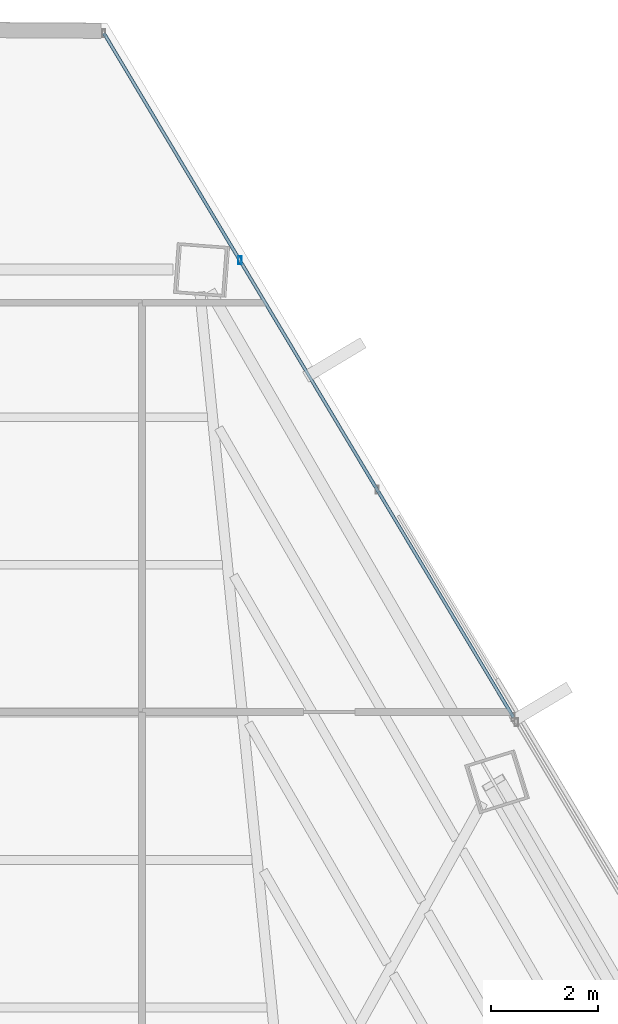
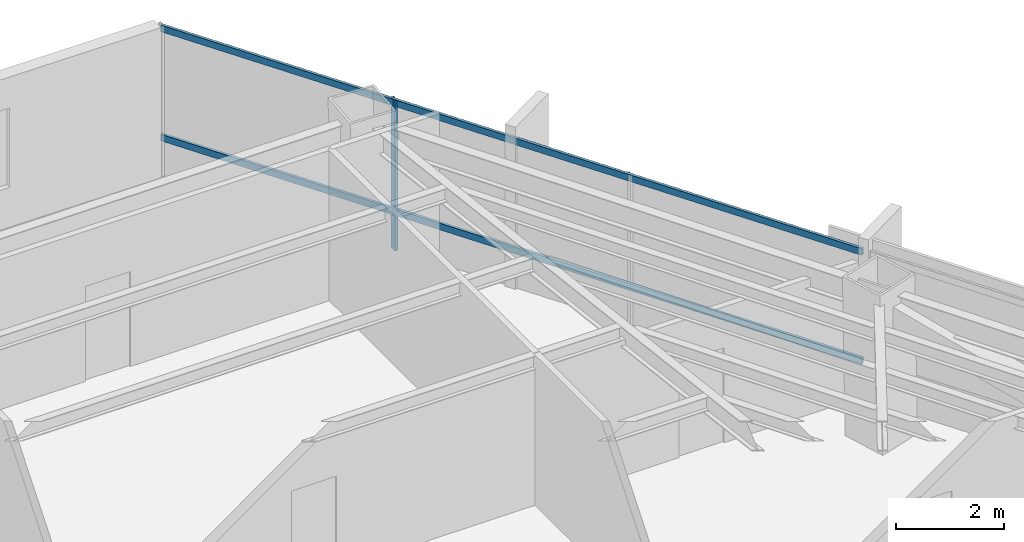
# One storey, part 33 of 41: 3 members, 1 element without a shape of its own.
"""IFC4 building model written with IfcOpenShell, lengths in metres."""

from ifc_helpers import new_model, si_unit, direction, frame, origin, origin_2d, place, context, subcontext, project, spatial, hollow_rectangle, extrude, source, transform, mapped, material, material_profile, profile_set, type_object, type_shapes, element, aggregate, save


model = new_model("IFC4")

# Units and contexts
model_context = context("Model", 3, precision=1e-05, world=origin(), true_north=direction((0.0, 1.0)))
body_context = subcontext(model_context, "Body", "Model", "MODEL_VIEW")
ifc_project = project(units=[si_unit("LENGTHUNIT", "METRE"), si_unit("AREAUNIT", "SQUARE_METRE"), si_unit("VOLUMEUNIT", "CUBIC_METRE"), si_unit("PLANEANGLEUNIT", "RADIAN"), si_unit("MASSUNIT", "GRAM", prefix="KILO")], contexts=[model_context])

# Site, building, storey
site_placement = place(None, origin())
site = spatial("IfcSite", under=ifc_project, at=site_placement, CompositionType="ELEMENT")
building_placement = place(site_placement, origin())
building = spatial("IfcBuilding", under=site, at=building_placement, Name="Caelisora Broadcast Tower", CompositionType="ELEMENT")
storey_placement = place(building_placement, frame((0.0, 0.0, 169.449951171875)))
storey = spatial("IfcBuildingStorey", under=building, at=storey_placement, Name="L44", CompositionType="ELEMENT", Elevation=169.449951171875)

# Curtain wall, members
ifc_material_1 = material(Name="Unitised Aluminium and Low-E Glass Curtain Wall", Category="glass")
curtain_wall_type = type_object("IfcCurtainWallType", Name="CW-Z3", PredefinedType="NOTDEFINED", material=ifc_material_1)
curtain_wall_placement = place(storey_placement, origin())
curtain_wall = element("IfcCurtainWall", 1, at=curtain_wall_placement, inside=storey, type_object=curtain_wall_type, Name="L44 curtain wall CW-Z3", PredefinedType="NOTDEFINED")
ifc_material_2 = material(Name="Aluminium 6063-T6 Anodised Terracotta Bronze", Category="aluminium")
ifc_material_profile_1 = material_profile(ifc_material_2, hollow_rectangle(XDim=0.06005859375, YDim=0.14990234375, WallThickness=0.00341796875, at=origin_2d()), Name="Aluminium 6063-T6 Anodised Terracotta Bronze")
ifc_profile_set_1 = profile_set([ifc_material_profile_1], Name="Aluminium 6063-T6 Anodised Terracotta Bronze")
member_type_1 = type_object("IfcMemberType", Name="CWM-03", PredefinedType="MULLION", material=ifc_profile_set_1)
shared_shape_1 = source(origin(), body_context, "Body", "SweptSolid", [
    extrude(hollow_rectangle(XDim=0.06005859375, YDim=0.14990234375, WallThickness=0.00341796875, at=origin_2d()), origin(), (0.0, 0.0, 1.0), 3.400146484375),
])
type_shapes(member_type_1, [shared_shape_1])
member_1_placement = place(storey_placement, frame((44.624755859375, 46.7001953125, 0.0), z_axis=(0.0, 0.0, 1.0), x_axis=(1.0, 0.0, 0.0)))
member_1 = element("IfcMember", 2, at=member_1_placement, type_object=member_type_1, Name="L44-CW-B01 mullion #1", PredefinedType="MULLION", context=body_context, shape_type="MappedRepresentation", body=[
    mapped(shared_shape_1, transform((0.0, 0.0, 0.0), scale=1.0)),
])
ifc_material_profile_2 = material_profile(ifc_material_2, hollow_rectangle(XDim=0.06005859375, YDim=0.14990234375, WallThickness=0.00341796875, at=origin_2d()), Name="Aluminium 6063-T6 Anodised Terracotta Bronze")
ifc_profile_set_2 = profile_set([ifc_material_profile_2], Name="Aluminium 6063-T6 Anodised Terracotta Bronze")
member_type_2 = type_object("IfcMemberType", Name="CWT-02", PredefinedType="USERDEFINED", material=ifc_profile_set_2)
shared_shape_2 = source(origin(), body_context, "Body", "SweptSolid", [
    extrude(hollow_rectangle(XDim=0.06005859375, YDim=0.14990234375, WallThickness=0.00341796875, at=origin_2d()), origin(), (0.0, 0.0, 1.0), 14.885009765625),
])
type_shapes(member_type_2, [shared_shape_2])
member_2_placement = place(storey_placement, frame((42.084716796875, 50.943115234375, 0.85009765625), z_axis=(0.513668195315, -0.857988918997, 0.0), x_axis=(0.857988918997, 0.513668195315, 0.0)))
member_2 = element("IfcMember", 3, at=member_2_placement, type_object=member_type_2, Name="L44-CW-B01 transom #1", ObjectType="TRANSOM", PredefinedType="USERDEFINED", context=body_context, shape_type="MappedRepresentation", body=[
    mapped(shared_shape_2, transform((0.0, 0.0, 0.0), scale=1.0)),
])
member_3_placement = place(storey_placement, frame((42.084716796875, 50.943115234375, 3.320068359375), z_axis=(0.513668195315, -0.857988918997, 0.0), x_axis=(0.857988918997, 0.513668195315, 0.0)))
member_3 = element("IfcMember", 4, at=member_3_placement, type_object=member_type_2, Name="L44-CW-B01 transom #2", ObjectType="TRANSOM", PredefinedType="USERDEFINED", context=body_context, shape_type="MappedRepresentation", body=[
    mapped(shared_shape_2, transform((0.0, 0.0, 0.0), scale=1.0)),
])
aggregate(curtain_wall, [member_1, member_2, member_3])

save(model, "model.ifc")
